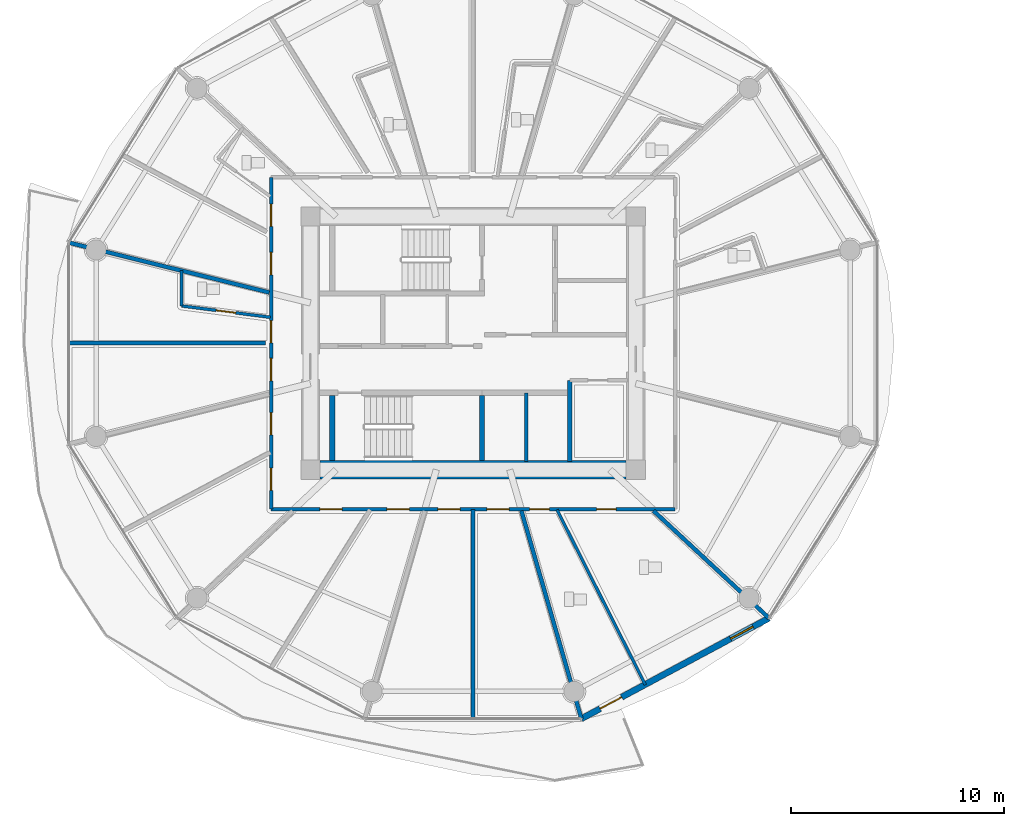
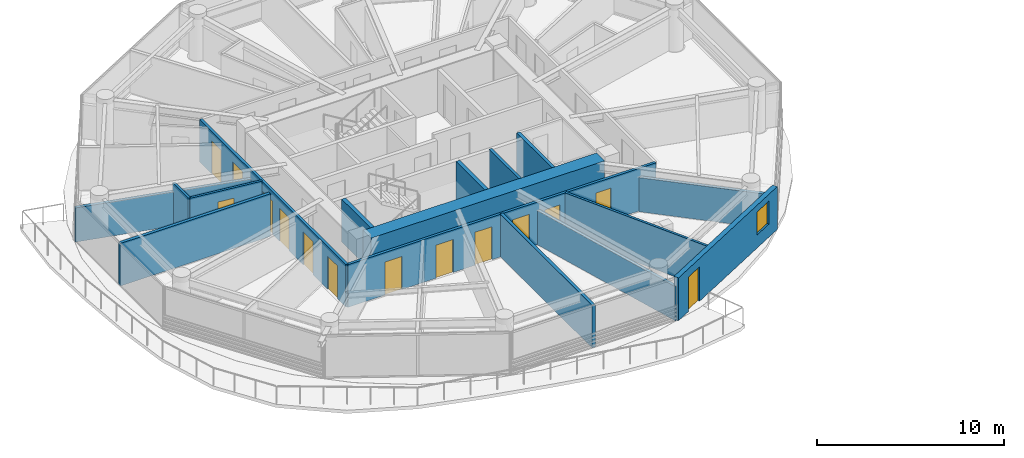
# One storey, part 15 of 31: 16 walls, 14 doors, 1 window, 15 openings.
"""IFC4 building model written with IfcOpenShell, lengths in metres."""

from ifc_helpers import new_model, si_unit, direction, frame, frame_2d, origin, place, context, subcontext, project, spatial, rectangle, extrude, source, transform, mapped, material, layer, layer_set, type_object, type_shapes, element, fill, save


model = new_model("IFC4")

# Units and contexts
model_context = context("Model", 3, precision=1e-05, world=origin(), true_north=direction((0.0, 1.0)))
body_context = subcontext(model_context, "Body", "Model", "MODEL_VIEW")
ifc_project = project(units=[si_unit("LENGTHUNIT", "METRE"), si_unit("AREAUNIT", "SQUARE_METRE"), si_unit("VOLUMEUNIT", "CUBIC_METRE"), si_unit("PLANEANGLEUNIT", "RADIAN"), si_unit("MASSUNIT", "GRAM", prefix="KILO")], contexts=[model_context])

# Site, building, storey
site_placement = place(None, origin())
site = spatial("IfcSite", under=ifc_project, at=site_placement, CompositionType="ELEMENT")
building_placement = place(site_placement, origin())
building = spatial("IfcBuilding", under=site, at=building_placement, Name="Norrkilde Senior Care Towers", CompositionType="ELEMENT")
storey_placement = place(building_placement, frame((0.0, 0.0, 42.949951171875)))
storey = spatial("IfcBuildingStorey", under=building, at=storey_placement, Name="L12", CompositionType="ELEMENT", Elevation=42.949951171875)

# Wall
ifc_material_1 = material(Name="Concrete C60/75", Category="concrete")
ifc_layer_1 = layer(ifc_material_1, 0.85009765625)
ifc_layer_set_1 = layer_set([ifc_layer_1], Name="Concrete C60/75")
wall_type_1 = type_object("IfcWallType", Name="Core Shear Wall Z1 850", PredefinedType="SHEAR", material=ifc_layer_set_1)
shared_shape_1 = source(origin(), body_context, "Body", "SweptSolid", [
    extrude(rectangle(XDim=14.39990234375, YDim=0.85009765625, at=frame_2d((7.199951171875, 0.0))), origin(), (0.0, 0.0, 1.0), 2.7900390625),
])
type_shapes(wall_type_1, [shared_shape_1])
wall_1_placement = place(storey_placement, frame((-20.800048828125, -5.949951171875, 0.0), z_axis=(0.0, 0.0, 1.0), x_axis=(-1.0, 0.0, 0.0)))
element("IfcWall", 1, at=wall_1_placement, inside=storey, type_object=wall_type_1, Name="L12 Core W South Shear Wall", PredefinedType="SHEAR", context=body_context, shape_type="MappedRepresentation", body=[
    mapped(shared_shape_1, transform((0.0, 0.0, 0.0), x_axis=(1.0, 0.0, 0.0), y_axis=(0.0, 1.0, 0.0), z_axis=(0.0, 0.0, 1.0), scale=1.0)),
])

# Wall, openings, door, window
ifc_material_2 = material(Name="Precast concrete C45/55", Category="concrete")
ifc_layer_2 = layer(ifc_material_2, 0.2900390625)
ifc_layer_set_2 = layer_set([ifc_layer_2], Name="Precast concrete C45/55")
wall_type_2 = type_object("IfcWallType", Name="Winter Garden Facade Wall 290", PredefinedType="SOLIDWALL", material=ifc_layer_set_2)
shared_shape_2 = source(origin(), body_context, "Body", "SweptSolid", [
    extrude(rectangle(XDim=10.0107421875, YDim=0.2900390625, at=frame_2d((5.00537109375, 0.0))), origin(), (0.0, 0.0, 1.0), 2.7900390625),
])
type_shapes(wall_type_2, [shared_shape_2])
wall_2_placement = place(storey_placement, frame((-14.084228515625, -12.926025390625, 0.0), z_axis=(0.0, 0.0, 1.0), x_axis=(-0.881272505317, -0.472608475773, 0.0)))
wall_2 = element("IfcWall", 2, at=wall_2_placement, inside=storey, type_object=wall_type_2, Name="L12 Drum W Balcony Access Wall 09", PredefinedType="SOLIDWALL", context=body_context, shape_type="MappedRepresentation", body=[
    mapped(shared_shape_2, transform((0.0, 0.0, 0.0), x_axis=(1.0, 0.0, 0.0), y_axis=(0.0, 1.0, 0.0), z_axis=(0.0, 0.0, 1.0), scale=1.0)),
])
opening_1_placement = place(wall_2_placement, frame((7.860107421875, 0.0, 0.0)))
opening_1 = element("IfcOpeningElement", 3, at=opening_1_placement, cuts=wall_2, Name="Opening D-09", PredefinedType="OPENING", context=body_context, shape_type="SweptSolid", body=[
    extrude(rectangle(XDim=1.14990234375, YDim=2.25, at=frame_2d((0.574951171875, 1.125))), frame((0.0, 0.155029296875, 0.0), z_axis=(0.0, -1.0, 0.0), x_axis=(1.0, 0.0, 0.0)), (0.0, 0.0, 1.0), 0.31005859375),
])
opening_2_placement = place(wall_2_placement, frame((0.85009765625, 0.0, 0.85009765625)))
opening_2 = element("IfcOpeningElement", 4, at=opening_2_placement, cuts=wall_2, Name="Opening WN-07", PredefinedType="OPENING", context=body_context, shape_type="SweptSolid", body=[
    extrude(rectangle(XDim=1.199951171875, YDim=1.5, at=frame_2d((0.60009765625, 0.75))), frame((0.0, 0.155029296875, 0.0), z_axis=(0.0, -1.0, 0.0), x_axis=(1.0, 0.0, 0.0)), (0.0, 0.0, 1.0), 0.31005859375),
])
ifc_material_3 = material(Name="Anodised Aluminium", Category="aluminium")
door_type_1 = type_object("IfcDoorType", Name="Terrace and Balcony Glazed Door 1150x2250", OperationType="NOTDEFINED", PredefinedType="DOOR", material=ifc_material_3)
shared_shape_3 = source(origin(), body_context, "Body", "SweptSolid", [
    extrude(rectangle(XDim=1.14990234375, YDim=2.25, at=frame_2d((0.574951171875, 1.125))), frame((0.0, 0.02490234375, 0.0), z_axis=(0.0, -1.0, 0.0), x_axis=(1.0, 0.0, 0.0)), (0.0, 0.0, 1.0), 0.050048828125),
])
type_shapes(door_type_1, [shared_shape_3])
door_1_placement = place(opening_1_placement, origin())
door_1 = element("IfcDoor", 5, at=door_1_placement, inside=storey, type_object=door_type_1, Name="L12 Drum W Outdoor Terrace Door 09", OperationType="SINGLE_SWING_RIGHT", OverallHeight=2.25, OverallWidth=1.14990234375, PredefinedType="DOOR", context=body_context, shape_type="MappedRepresentation", body=[
    mapped(shared_shape_3, transform((0.0, 0.0, 0.0), x_axis=(1.0, 0.0, 0.0), y_axis=(0.0, 1.0, 0.0), z_axis=(0.0, 0.0, 1.0), scale=1.0)),
])
fill(opening_1, door_1)
ifc_material_4 = material(Name="Triple Low-E Insulated Glazing", Category="glass")
window_type = type_object("IfcWindowType", Name="Stairwell Smoke Vent Window 1200x1500", PartitioningType="SINGLE_PANEL", PredefinedType="WINDOW", material=ifc_material_4)
shared_shape_4 = source(origin(), body_context, "Body", "SweptSolid", [
    extrude(rectangle(XDim=1.199951171875, YDim=1.5, at=frame_2d((0.60009765625, 0.75))), frame((0.0, 0.030029296875, 0.0), z_axis=(0.0, -1.0, 0.0), x_axis=(1.0, 0.0, 0.0)), (0.0, 0.0, 1.0), 0.06005859375),
])
type_shapes(window_type, [shared_shape_4])
window_placement = place(opening_2_placement, origin())
window = element("IfcWindow", 6, at=window_placement, inside=storey, type_object=window_type, Name="L12 Drum W Winter Garden Window 09", OverallHeight=1.5, OverallWidth=1.199951171875, PartitioningType="SINGLE_PANEL", PredefinedType="WINDOW", context=body_context, shape_type="MappedRepresentation", body=[
    mapped(shared_shape_4, transform((0.0, 0.0, 0.0), x_axis=(1.0, 0.0, 0.0), y_axis=(0.0, 1.0, 0.0), z_axis=(0.0, 0.0, 1.0), scale=1.0)),
])
fill(opening_2, window)

# Walls
ifc_material_5 = material(Name="Concrete C45/55", Category="concrete")
ifc_layer_3 = layer(ifc_material_5, 0.239990234375)
ifc_layer_set_3 = layer_set([ifc_layer_3], Name="Concrete C45/55")
wall_type_3 = type_object("IfcWallType", Name="Shaft and Stair Enclosure Wall 240", PredefinedType="PARTITIONING", material=ifc_layer_set_3)
shared_shape_5 = source(origin(), body_context, "Body", "SweptSolid", [
    extrude(rectangle(XDim=3.074951171875, YDim=0.239990234375, at=frame_2d((1.53759765625, 0.0))), origin(), (0.0, 0.0, 1.0), 2.7900390625),
])
type_shapes(wall_type_3, [shared_shape_5])
for number, where, z_axis, x_axis, name in (
    (7, (-34.6201171875, -5.52490234375, 0.0), (0.0, 0.0, 1.0), (0.0, 1.0, 0.0), "WL-INT-L12-W-ST2W"),
    (8, (-27.580078125, -5.52490234375, 0.0), (0.0, 0.0, 1.0), (0.0, 1.0, 0.0), "WL-INT-L12-W-ST2E"),
):
    element("IfcWall", number, at=place(storey_placement, frame(where, z_axis=z_axis, x_axis=x_axis)), inside=storey, type_object=wall_type_3, Name=name, PredefinedType="PARTITIONING", context=body_context, shape_type="MappedRepresentation", body=[
        mapped(shared_shape_5, transform((0.0, 0.0, 0.0), x_axis=(1.0, 0.0, 0.0), y_axis=(0.0, 1.0, 0.0), z_axis=(0.0, 0.0, 1.0), scale=1.0)),
    ])
ifc_layer_4 = layer(ifc_material_5, 0.199951171875)
ifc_layer_set_4 = layer_set([ifc_layer_4], Name="Concrete C45/55")
wall_type_4 = type_object("IfcWallType", Name="Shaft Division and Plant Partition 200", PredefinedType="PARTITIONING", material=ifc_layer_set_4)
shared_shape_6 = source(origin(), body_context, "Body", "SweptSolid", [
    extrude(rectangle(XDim=3.800048828125, YDim=0.199951171875, at=frame_2d((1.89990234375, 0.0))), origin(), (0.0, 0.0, 1.0), 2.775146484375),
])
type_shapes(wall_type_4, [shared_shape_6])
wall_3_placement = place(storey_placement, frame((-23.449951171875, -5.550048828125, 0.0), z_axis=(0.0, 0.0, 1.0), x_axis=(0.0, 1.0, 0.0)))
element("IfcWall", 9, at=wall_3_placement, inside=storey, type_object=wall_type_4, Name="WL-INT-L12-W-PKBE", PredefinedType="PARTITIONING", context=body_context, shape_type="MappedRepresentation", body=[
    mapped(shared_shape_6, transform((0.0, 0.0, 0.0), x_axis=(1.0, 0.0, 0.0), y_axis=(0.0, 1.0, 0.0), z_axis=(0.0, 0.0, 1.0), scale=1.0)),
])
ifc_layer_5 = layer(ifc_material_5, 0.179931640625)
ifc_layer_set_5 = layer_set([ifc_layer_5], Name="Concrete C45/55")
wall_type_5 = type_object("IfcWallType", Name="Hoistway Division Rated Partition 180", PredefinedType="PARTITIONING", material=ifc_layer_set_5)
shared_shape_7 = source(origin(), body_context, "Body", "SweptSolid", [
    extrude(rectangle(XDim=3.219970703125, YDim=0.179931640625, at=frame_2d((1.60986328125, 0.0))), origin(), (0.0, 0.0, 1.0), 2.775146484375),
])
type_shapes(wall_type_5, [shared_shape_7])
wall_4_placement = place(storey_placement, frame((-25.5, -5.550048828125, 0.0), z_axis=(0.0, 0.0, 1.0), x_axis=(0.0, 1.0, 0.0)))
element("IfcWall", 10, at=wall_4_placement, inside=storey, type_object=wall_type_5, Name="WL-INT-L12-W-PL34", PredefinedType="PARTITIONING", context=body_context, shape_type="MappedRepresentation", body=[
    mapped(shared_shape_7, transform((0.0, 0.0, 0.0), x_axis=(1.0, 0.0, 0.0), y_axis=(0.0, 1.0, 0.0), z_axis=(0.0, 0.0, 1.0), scale=1.0)),
])

# Wall, openings, doors
ifc_material_6 = material(Name="Gypsum Acoustic Board")
ifc_layer_6 = layer(ifc_material_6, 0.1650390625)
ifc_layer_set_6 = layer_set([ifc_layer_6], Name="Gypsum Acoustic Board")
wall_type_6 = type_object("IfcWallType", Name="Corridor Rated Partition 165", PredefinedType="PARTITIONING", material=ifc_layer_set_6)
shared_shape_8 = source(origin(), body_context, "Body", "SweptSolid", [
    extrude(rectangle(XDim=19.0, YDim=0.1650390625, at=frame_2d((9.5, 0.0))), origin(), (0.0, 0.0, 1.0), 2.775146484375),
])
wall_5_placement = place(storey_placement, frame((-18.5, -7.800048828125, 0.0), z_axis=(0.0, 0.0, 1.0), x_axis=(-1.0, 0.0, 0.0)))
wall_5 = element("IfcWall", 11, at=wall_5_placement, inside=storey, type_object=wall_type_6, Name="WL-INT-L12-W-CRW-S-0", PredefinedType="PARTITIONING", context=body_context, shape_type="MappedRepresentation", body=[
    mapped(shared_shape_8, transform((0.0, 0.0, 0.0), x_axis=(1.0, 0.0, 0.0), y_axis=(0.0, 1.0, 0.0), z_axis=(0.0, 0.0, 1.0), scale=1.0)),
])
opening_3_placement = place(wall_5_placement, frame((15.65185546875, 0.0, 0.0)))
opening_3 = element("IfcOpeningElement", 12, at=opening_3_placement, cuts=wall_5, Name="Opening D-06", PredefinedType="OPENING", context=body_context, shape_type="SweptSolid", body=[
    extrude(rectangle(XDim=1.050048828125, YDim=2.14990234375, at=frame_2d((0.52490234375, 1.074951171875))), frame((0.0, 0.092529296875, 0.0), z_axis=(0.0, -1.0, 0.0), x_axis=(1.0, 0.0, 0.0)), (0.0, 0.0, 1.0), 0.18505859375),
])
opening_4_placement = place(wall_5_placement, frame((12.5, 0.0, 0.0)))
opening_4 = element("IfcOpeningElement", 13, at=opening_4_placement, cuts=wall_5, Name="Opening D-06", PredefinedType="OPENING", context=body_context, shape_type="SweptSolid", body=[
    extrude(rectangle(XDim=1.050048828125, YDim=2.14990234375, at=frame_2d((0.52490234375, 1.074951171875))), frame((0.0, 0.092529296875, 0.0), z_axis=(0.0, -1.0, 0.0), x_axis=(1.0, 0.0, 0.0)), (0.0, 0.0, 1.0), 0.18505859375),
])
opening_5_placement = place(wall_5_placement, frame((10.103759765625, 0.0, 0.0)))
opening_5 = element("IfcOpeningElement", 14, at=opening_5_placement, cuts=wall_5, Name="Opening D-06", PredefinedType="OPENING", context=body_context, shape_type="SweptSolid", body=[
    extrude(rectangle(XDim=1.050048828125, YDim=2.14990234375, at=frame_2d((0.52490234375, 1.074951171875))), frame((0.0, 0.092529296875, 0.0), z_axis=(0.0, -1.0, 0.0), x_axis=(1.0, 0.0, 0.0)), (0.0, 0.0, 1.0), 0.18505859375),
])
opening_6_placement = place(wall_5_placement, frame((7.806396484375, 0.0, 0.0)))
opening_6 = element("IfcOpeningElement", 15, at=opening_6_placement, cuts=wall_5, Name="Opening D-06", PredefinedType="OPENING", context=body_context, shape_type="SweptSolid", body=[
    extrude(rectangle(XDim=1.050048828125, YDim=2.14990234375, at=frame_2d((0.52490234375, 1.074951171875))), frame((0.0, 0.092529296875, 0.0), z_axis=(0.0, -1.0, 0.0), x_axis=(1.0, 0.0, 0.0)), (0.0, 0.0, 1.0), 0.18505859375),
])
opening_7_placement = place(wall_5_placement, frame((5.915283203125, 0.0, 0.0)))
opening_7 = element("IfcOpeningElement", 16, at=opening_7_placement, cuts=wall_5, Name="Opening D-08", PredefinedType="OPENING", context=body_context, shape_type="SweptSolid", body=[
    extrude(rectangle(XDim=0.919921875, YDim=2.10009765625, at=frame_2d((0.4599609375, 1.050048828125))), frame((0.0, 0.092529296875, 0.0), z_axis=(0.0, -1.0, 0.0), x_axis=(1.0, 0.0, 0.0)), (0.0, 0.0, 1.0), 0.18505859375),
])
opening_8_placement = place(wall_5_placement, frame((2.76904296875, 0.0, 0.0)))
opening_8 = element("IfcOpeningElement", 17, at=opening_8_placement, cuts=wall_5, Name="Opening D-08", PredefinedType="OPENING", context=body_context, shape_type="SweptSolid", body=[
    extrude(rectangle(XDim=0.919921875, YDim=2.10009765625, at=frame_2d((0.4599609375, 1.050048828125))), frame((0.0, 0.092529296875, 0.0), z_axis=(0.0, -1.0, 0.0), x_axis=(1.0, 0.0, 0.0)), (0.0, 0.0, 1.0), 0.18505859375),
])
ifc_material_7 = material(Name="Nordic Ash Timber", Category="wood")
door_type_2 = type_object("IfcDoorType", Name="Accessible Wet Room Door 920x2100", OperationType="NOTDEFINED", PredefinedType="DOOR", material=ifc_material_7)
shared_shape_9 = source(origin(), body_context, "Body", "SweptSolid", [
    extrude(rectangle(XDim=0.919921875, YDim=2.10009765625, at=frame_2d((0.4599609375, 1.050048828125))), frame((0.0, 0.02490234375, 0.0), z_axis=(0.0, -1.0, 0.0), x_axis=(1.0, 0.0, 0.0)), (0.0, 0.0, 1.0), 0.050048828125),
])
type_shapes(door_type_2, [shared_shape_9])
door_2_placement = place(opening_7_placement, frame((0.919921875, 0.0, 0.0), z_axis=(0.0, 0.0, 1.0), x_axis=(-1.0, 0.0, 0.0)))
door_2 = element("IfcDoor", 18, at=door_2_placement, inside=storey, type_object=door_type_2, Name="L12 Accessible Restroom Door", OperationType="SINGLE_SWING_RIGHT", OverallHeight=2.10009765625, OverallWidth=0.919921875, PredefinedType="DOOR", context=body_context, shape_type="MappedRepresentation", body=[
    mapped(shared_shape_9, transform((0.0, 0.0, 0.0), x_axis=(1.0, 0.0, 0.0), y_axis=(0.0, 1.0, 0.0), z_axis=(0.0, 0.0, 1.0), scale=1.0)),
])
fill(opening_7, door_2)
door_3_placement = place(opening_8_placement, frame((0.919921875, 0.0, 0.0), z_axis=(0.0, 0.0, 1.0), x_axis=(-1.0, 0.0, 0.0)))
door_3 = element("IfcDoor", 19, at=door_3_placement, inside=storey, type_object=door_type_2, Name="L12 Public Restroom Door", OperationType="SINGLE_SWING_LEFT", OverallHeight=2.10009765625, OverallWidth=0.919921875, PredefinedType="DOOR", context=body_context, shape_type="MappedRepresentation", body=[
    mapped(shared_shape_9, transform((0.0, 0.0, 0.0), x_axis=(1.0, 0.0, 0.0), y_axis=(0.0, 1.0, 0.0), z_axis=(0.0, 0.0, 1.0), scale=1.0)),
])
fill(opening_8, door_3)
door_type_3 = type_object("IfcDoorType", Name="Apartment Entrance Fire Door 1050x2150", OperationType="NOTDEFINED", PredefinedType="DOOR", material=ifc_material_7)
shared_shape_10 = source(origin(), body_context, "Body", "SweptSolid", [
    extrude(rectangle(XDim=1.050048828125, YDim=2.14990234375, at=frame_2d((0.52490234375, 1.074951171875))), frame((0.0, 0.02490234375, 0.0), z_axis=(0.0, -1.0, 0.0), x_axis=(1.0, 0.0, 0.0)), (0.0, 0.0, 1.0), 0.050048828125),
])
type_shapes(door_type_3, [shared_shape_10])
door_4_placement = place(opening_3_placement, frame((1.050048828125, 0.0, 0.0), z_axis=(0.0, 0.0, 1.0), x_axis=(-1.0, 0.0, 0.0)))
door_4 = element("IfcDoor", 20, at=door_4_placement, inside=storey, type_object=door_type_3, Name="L12 Physiotherapy Clinic 7A Door", OperationType="SINGLE_SWING_RIGHT", OverallHeight=2.14990234375, OverallWidth=1.050048828125, PredefinedType="DOOR", context=body_context, shape_type="MappedRepresentation", body=[
    mapped(shared_shape_10, transform((0.0, 0.0, 0.0), x_axis=(1.0, 0.0, 0.0), y_axis=(0.0, 1.0, 0.0), z_axis=(0.0, 0.0, 1.0), scale=1.0)),
])
fill(opening_3, door_4)
door_5_placement = place(opening_4_placement, frame((1.050048828125, 0.0, 0.0), z_axis=(0.0, 0.0, 1.0), x_axis=(-1.0, 0.0, 0.0)))
door_5 = element("IfcDoor", 21, at=door_5_placement, inside=storey, type_object=door_type_3, Name="L12 Assessment Clinic 7B Door", OperationType="SINGLE_SWING_LEFT", OverallHeight=2.14990234375, OverallWidth=1.050048828125, PredefinedType="DOOR", context=body_context, shape_type="MappedRepresentation", body=[
    mapped(shared_shape_10, transform((0.0, 0.0, 0.0), x_axis=(1.0, 0.0, 0.0), y_axis=(0.0, 1.0, 0.0), z_axis=(0.0, 0.0, 1.0), scale=1.0)),
])
fill(opening_4, door_5)
door_6_placement = place(opening_5_placement, frame((1.050048828125, 0.0, 0.0), z_axis=(0.0, 0.0, 1.0), x_axis=(-1.0, 0.0, 0.0)))
door_6 = element("IfcDoor", 22, at=door_6_placement, inside=storey, type_object=door_type_3, Name="L12 Physiotherapy Clinic 8A Door", OperationType="SINGLE_SWING_LEFT", OverallHeight=2.14990234375, OverallWidth=1.050048828125, PredefinedType="DOOR", context=body_context, shape_type="MappedRepresentation", body=[
    mapped(shared_shape_10, transform((0.0, 0.0, 0.0), x_axis=(1.0, 0.0, 0.0), y_axis=(0.0, 1.0, 0.0), z_axis=(0.0, 0.0, 1.0), scale=1.0)),
])
fill(opening_5, door_6)
door_7_placement = place(opening_6_placement, frame((1.050048828125, 0.0, 0.0), z_axis=(0.0, 0.0, 1.0), x_axis=(-1.0, 0.0, 0.0)))
door_7 = element("IfcDoor", 23, at=door_7_placement, inside=storey, type_object=door_type_3, Name="L12 Assessment Clinic 8B Door", OperationType="SINGLE_SWING_RIGHT", OverallHeight=2.14990234375, OverallWidth=1.050048828125, PredefinedType="DOOR", context=body_context, shape_type="MappedRepresentation", body=[
    mapped(shared_shape_10, transform((0.0, 0.0, 0.0), x_axis=(1.0, 0.0, 0.0), y_axis=(0.0, 1.0, 0.0), z_axis=(0.0, 0.0, 1.0), scale=1.0)),
])
fill(opening_6, door_7)

shared_shape_11 = source(origin(), body_context, "Body", "SweptSolid", [
    extrude(rectangle(XDim=15.60009765625, YDim=0.1650390625, at=frame_2d((7.800048828125, 0.0))), origin(), (0.0, 0.0, 1.0), 2.775146484375),
])
type_shapes(wall_type_6, [shared_shape_8, shared_shape_11])
wall_6_placement = place(storey_placement, frame((-37.5, -7.800048828125, 0.0), z_axis=(0.0, 0.0, 1.0), x_axis=(0.0, 1.0, 0.0)))
wall_6 = element("IfcWall", 24, at=wall_6_placement, inside=storey, type_object=wall_type_6, Name="WL-INT-L12-W-CRW-W-0", PredefinedType="PARTITIONING", context=body_context, shape_type="MappedRepresentation", body=[
    mapped(shared_shape_11, transform((0.0, 0.0, 0.0), x_axis=(1.0, 0.0, 0.0), y_axis=(0.0, 1.0, 0.0), z_axis=(0.0, 0.0, 1.0), scale=1.0)),
])
opening_9_placement = place(wall_6_placement, frame((13.293212890625, 0.0, 0.0)))
opening_9 = element("IfcOpeningElement", 25, at=opening_9_placement, cuts=wall_6, Name="Opening D-06", PredefinedType="OPENING", context=body_context, shape_type="SweptSolid", body=[
    extrude(rectangle(XDim=1.050048828125, YDim=2.14990234375, at=frame_2d((0.52490234375, 1.074951171875))), frame((0.0, 0.092529296875, 0.0), z_axis=(0.0, -1.0, 0.0), x_axis=(1.0, 0.0, 0.0)), (0.0, 0.0, 1.0), 0.18505859375),
])
opening_10_placement = place(wall_6_placement, frame((11.017822265625, 0.0, 0.0)))
opening_10 = element("IfcOpeningElement", 26, at=opening_10_placement, cuts=wall_6, Name="Opening D-06", PredefinedType="OPENING", context=body_context, shape_type="SweptSolid", body=[
    extrude(rectangle(XDim=1.050048828125, YDim=2.14990234375, at=frame_2d((0.52490234375, 1.074951171875))), frame((0.0, 0.092529296875, 0.0), z_axis=(0.0, -1.0, 0.0), x_axis=(1.0, 0.0, 0.0)), (0.0, 0.0, 1.0), 0.18505859375),
])
opening_11_placement = place(wall_6_placement, frame((7.811767578125, 0.0, 0.0)))
opening_11 = element("IfcOpeningElement", 27, at=opening_11_placement, cuts=wall_6, Name="Opening D-06", PredefinedType="OPENING", context=body_context, shape_type="SweptSolid", body=[
    extrude(rectangle(XDim=1.050048828125, YDim=2.14990234375, at=frame_2d((0.52490234375, 1.074951171875))), frame((0.0, 0.092529296875, 0.0), z_axis=(0.0, -1.0, 0.0), x_axis=(1.0, 0.0, 0.0)), (0.0, 0.0, 1.0), 0.18505859375),
])
opening_12_placement = place(wall_6_placement, frame((6.03466796875, 0.0, 0.0)))
opening_12 = element("IfcOpeningElement", 28, at=opening_12_placement, cuts=wall_6, Name="Opening D-06", PredefinedType="OPENING", context=body_context, shape_type="SweptSolid", body=[
    extrude(rectangle(XDim=1.050048828125, YDim=2.14990234375, at=frame_2d((0.52490234375, 1.074951171875))), frame((0.0, 0.092529296875, 0.0), z_axis=(0.0, -1.0, 0.0), x_axis=(1.0, 0.0, 0.0)), (0.0, 0.0, 1.0), 0.18505859375),
])
opening_13_placement = place(wall_6_placement, frame((3.489013671875, 0.0, 0.0)))
opening_13 = element("IfcOpeningElement", 29, at=opening_13_placement, cuts=wall_6, Name="Opening D-06", PredefinedType="OPENING", context=body_context, shape_type="SweptSolid", body=[
    extrude(rectangle(XDim=1.050048828125, YDim=2.14990234375, at=frame_2d((0.52490234375, 1.074951171875))), frame((0.0, 0.092529296875, 0.0), z_axis=(0.0, -1.0, 0.0), x_axis=(1.0, 0.0, 0.0)), (0.0, 0.0, 1.0), 0.18505859375),
])
opening_14_placement = place(wall_6_placement, frame((0.881591796875, 0.0, 0.0)))
opening_14 = element("IfcOpeningElement", 30, at=opening_14_placement, cuts=wall_6, Name="Opening D-06", PredefinedType="OPENING", context=body_context, shape_type="SweptSolid", body=[
    extrude(rectangle(XDim=1.050048828125, YDim=2.14990234375, at=frame_2d((0.52490234375, 1.074951171875))), frame((0.0, 0.092529296875, 0.0), z_axis=(0.0, -1.0, 0.0), x_axis=(1.0, 0.0, 0.0)), (0.0, 0.0, 1.0), 0.18505859375),
])
door_8_placement = place(opening_9_placement, frame((1.050048828125, 0.0, 0.0), z_axis=(0.0, 0.0, 1.0), x_axis=(-1.0, 0.0, 0.0)))
door_8 = element("IfcDoor", 31, at=door_8_placement, inside=storey, type_object=door_type_3, Name="L12 Care Suite 1204A Entrance Door", OperationType="SINGLE_SWING_RIGHT", OverallHeight=2.14990234375, OverallWidth=1.050048828125, PredefinedType="DOOR", context=body_context, shape_type="MappedRepresentation", body=[
    mapped(shared_shape_10, transform((0.0, 0.0, 0.0), x_axis=(1.0, 0.0, 0.0), y_axis=(0.0, 1.0, 0.0), z_axis=(0.0, 0.0, 1.0), scale=1.0)),
])
fill(opening_9, door_8)
door_9_placement = place(opening_10_placement, frame((1.050048828125, 0.0, 0.0), z_axis=(0.0, 0.0, 1.0), x_axis=(-1.0, 0.0, 0.0)))
door_9 = element("IfcDoor", 32, at=door_9_placement, inside=storey, type_object=door_type_3, Name="L12 Therapy Day Lounge 04 Door", OperationType="SINGLE_SWING_RIGHT", OverallHeight=2.14990234375, OverallWidth=1.050048828125, PredefinedType="DOOR", context=body_context, shape_type="MappedRepresentation", body=[
    mapped(shared_shape_10, transform((0.0, 0.0, 0.0), x_axis=(1.0, 0.0, 0.0), y_axis=(0.0, 1.0, 0.0), z_axis=(0.0, 0.0, 1.0), scale=1.0)),
])
fill(opening_10, door_9)
door_10_placement = place(opening_11_placement, frame((1.050048828125, 0.0, 0.0), z_axis=(0.0, 0.0, 1.0), x_axis=(-1.0, 0.0, 0.0)))
door_10 = element("IfcDoor", 33, at=door_10_placement, inside=storey, type_object=door_type_3, Name="L12 Care Suite 1205A Entrance Door", OperationType="SINGLE_SWING_LEFT", OverallHeight=2.14990234375, OverallWidth=1.050048828125, PredefinedType="DOOR", context=body_context, shape_type="MappedRepresentation", body=[
    mapped(shared_shape_10, transform((0.0, 0.0, 0.0), x_axis=(1.0, 0.0, 0.0), y_axis=(0.0, 1.0, 0.0), z_axis=(0.0, 0.0, 1.0), scale=1.0)),
])
fill(opening_11, door_10)
door_11_placement = place(opening_12_placement, frame((1.050048828125, 0.0, 0.0), z_axis=(0.0, 0.0, 1.0), x_axis=(-1.0, 0.0, 0.0)))
door_11 = element("IfcDoor", 34, at=door_11_placement, inside=storey, type_object=door_type_3, Name="L12 Therapy Day Lounge 05 Door", OperationType="SINGLE_SWING_LEFT", OverallHeight=2.14990234375, OverallWidth=1.050048828125, PredefinedType="DOOR", context=body_context, shape_type="MappedRepresentation", body=[
    mapped(shared_shape_10, transform((0.0, 0.0, 0.0), x_axis=(1.0, 0.0, 0.0), y_axis=(0.0, 1.0, 0.0), z_axis=(0.0, 0.0, 1.0), scale=1.0)),
])
fill(opening_12, door_11)
door_12_placement = place(opening_13_placement, frame((1.050048828125, 0.0, 0.0), z_axis=(0.0, 0.0, 1.0), x_axis=(-1.0, 0.0, 0.0)))
door_12 = element("IfcDoor", 35, at=door_12_placement, inside=storey, type_object=door_type_3, Name="L12 Physiotherapy Clinic 6A Door", OperationType="SINGLE_SWING_LEFT", OverallHeight=2.14990234375, OverallWidth=1.050048828125, PredefinedType="DOOR", context=body_context, shape_type="MappedRepresentation", body=[
    mapped(shared_shape_10, transform((0.0, 0.0, 0.0), x_axis=(1.0, 0.0, 0.0), y_axis=(0.0, 1.0, 0.0), z_axis=(0.0, 0.0, 1.0), scale=1.0)),
])
fill(opening_13, door_12)
door_13_placement = place(opening_14_placement, frame((1.050048828125, 0.0, 0.0), z_axis=(0.0, 0.0, 1.0), x_axis=(-1.0, 0.0, 0.0)))
door_13 = element("IfcDoor", 36, at=door_13_placement, inside=storey, type_object=door_type_3, Name="L12 Assessment Clinic 6B Door", OperationType="SINGLE_SWING_RIGHT", OverallHeight=2.14990234375, OverallWidth=1.050048828125, PredefinedType="DOOR", context=body_context, shape_type="MappedRepresentation", body=[
    mapped(shared_shape_10, transform((0.0, 0.0, 0.0), x_axis=(1.0, 0.0, 0.0), y_axis=(0.0, 1.0, 0.0), z_axis=(0.0, 0.0, 1.0), scale=1.0)),
])
fill(opening_14, door_13)

# Walls
ifc_layer_7 = layer(ifc_material_6, 0.18994140625)
ifc_layer_set_7 = layer_set([ifc_layer_7], Name="Gypsum Acoustic Board")
wall_type_7 = type_object("IfcWallType", Name="Unit Demising Acoustic Wall 190", PredefinedType="PARTITIONING", material=ifc_layer_set_7)
shared_shape_12 = source(origin(), body_context, "Body", "SweptSolid", [
    extrude(rectangle(XDim=7.4345703125, YDim=0.18994140625, at=frame_2d((3.71728515625, 0.0))), origin(), (0.0, 0.0, 1.0), 2.22509765625),
])
wall_7_placement = place(storey_placement, frame((-19.51708984375, -7.8798828125, 0.0), z_axis=(0.0, 0.0, 1.0), x_axis=(0.732651956848, -0.680603489652, 0.0)))
element("IfcWall", 37, at=wall_7_placement, inside=storey, type_object=wall_type_7, Name="WL-INT-L12-W-DEM-10-0", PredefinedType="PARTITIONING", context=body_context, shape_type="MappedRepresentation", body=[
    mapped(shared_shape_12, transform((0.0, 0.0, 0.0), x_axis=(1.0, 0.0, 0.0), y_axis=(0.0, 1.0, 0.0), z_axis=(0.0, 0.0, 1.0), scale=1.0)),
])
shared_shape_13 = source(origin(), body_context, "Body", "SweptSolid", [
    extrude(rectangle(XDim=10.196044921875, YDim=0.18994140625, at=frame_2d((5.09814453125, 0.0))), origin(), (0.0, 0.0, 1.0), 2.22509765625),
])
wall_8_placement = place(storey_placement, frame((-25.72705078125, -7.8798828125, 0.0), z_axis=(0.0, 0.0, 1.0), x_axis=(0.277136420347, -0.960830580549, 0.0)))
element("IfcWall", 38, at=wall_8_placement, inside=storey, type_object=wall_type_7, Name="WL-INT-L12-W-DEM-09-0", PredefinedType="PARTITIONING", context=body_context, shape_type="MappedRepresentation", body=[
    mapped(shared_shape_13, transform((0.0, 0.0, 0.0), x_axis=(1.0, 0.0, 0.0), y_axis=(0.0, 1.0, 0.0), z_axis=(0.0, 0.0, 1.0), scale=1.0)),
])
shared_shape_14 = source(origin(), body_context, "Body", "SweptSolid", [
    extrude(rectangle(XDim=9.846435546875, YDim=0.18994140625, at=frame_2d((4.92333984375, 0.0))), origin(), (0.0, 0.0, 1.0), 2.775146484375),
])
wall_9_placement = place(storey_placement, frame((-28.0, -7.830078125, 0.0), z_axis=(0.0, 0.0, 1.0), x_axis=(0.0, -1.0, 0.0)))
element("IfcWall", 39, at=wall_9_placement, inside=storey, type_object=wall_type_7, Name="WL-INT-L12-W-MID-08", PredefinedType="PARTITIONING", context=body_context, shape_type="MappedRepresentation", body=[
    mapped(shared_shape_14, transform((0.0, 0.0, 0.0), x_axis=(1.0, 0.0, 0.0), y_axis=(0.0, 1.0, 0.0), z_axis=(0.0, 0.0, 1.0), scale=1.0)),
])
ifc_layer_8 = layer(ifc_material_6, 0.139892578125)
ifc_layer_set_8 = layer_set([ifc_layer_8], Name="Gypsum Acoustic Board")
wall_type_8 = type_object("IfcWallType", Name="En-suite Wet Room Wall 140", PredefinedType="PARTITIONING", material=ifc_layer_set_8)
shared_shape_15 = source(origin(), body_context, "Body", "SweptSolid", [
    extrude(rectangle(XDim=9.22509765625, YDim=0.139892578125, at=frame_2d((4.612548828125, 0.0))), origin(), (0.0, 0.0, 1.0), 2.775146484375),
])
wall_10_placement = place(storey_placement, frame((-24.05419921875, -7.830078125, 0.0), z_axis=(0.0, 0.0, 1.0), x_axis=(0.450460543767, -0.892796336523, 0.0)))
element("IfcWall", 40, at=wall_10_placement, inside=storey, type_object=wall_type_8, Name="WL-INT-L12-W-MID-09", PredefinedType="PARTITIONING", context=body_context, shape_type="MappedRepresentation", body=[
    mapped(shared_shape_15, transform((0.0, 0.0, 0.0), x_axis=(1.0, 0.0, 0.0), y_axis=(0.0, 1.0, 0.0), z_axis=(0.0, 0.0, 1.0), scale=1.0)),
])
shared_shape_16 = source(origin(), body_context, "Body", "SweptSolid", [
    extrude(rectangle(XDim=9.737060546875, YDim=0.18994140625, at=frame_2d((4.86865234375, 0.0))), origin(), (0.0, 0.0, 1.0), 2.22509765625),
])
wall_11_placement = place(storey_placement, frame((-37.580078125, 2.384521484375, 0.0), z_axis=(0.0, 0.0, 1.0), x_axis=(-0.970392716238, 0.241532557375, 0.0)))
element("IfcWall", 41, at=wall_11_placement, inside=storey, type_object=wall_type_7, Name="WL-INT-L12-W-DEM-05-0", PredefinedType="PARTITIONING", context=body_context, shape_type="MappedRepresentation", body=[
    mapped(shared_shape_16, transform((0.0, 0.0, 0.0), x_axis=(1.0, 0.0, 0.0), y_axis=(0.0, 1.0, 0.0), z_axis=(0.0, 0.0, 1.0), scale=1.0)),
])
shared_shape_17 = source(origin(), body_context, "Body", "SweptSolid", [
    extrude(rectangle(XDim=9.261474609375, YDim=0.18994140625, at=frame_2d((4.630859375, 0.0))), origin(), (0.0, 0.0, 1.0), 2.775146484375),
])
type_shapes(wall_type_7, [shared_shape_12, shared_shape_13, shared_shape_14, shared_shape_16, shared_shape_17])
wall_12_placement = place(storey_placement, frame((-37.767333984375, 0.0, 0.0), z_axis=(0.0, 0.0, 1.0), x_axis=(-1.0, 0.0, 0.0)))
element("IfcWall", 42, at=wall_12_placement, inside=storey, type_object=wall_type_7, Name="WL-INT-L12-W-CMID-05", PredefinedType="PARTITIONING", context=body_context, shape_type="MappedRepresentation", body=[
    mapped(shared_shape_17, transform((0.0, 0.0, 0.0), x_axis=(1.0, 0.0, 0.0), y_axis=(0.0, 1.0, 0.0), z_axis=(0.0, 0.0, 1.0), scale=1.0)),
])

# Wall, opening, door
shared_shape_18 = source(origin(), body_context, "Body", "SweptSolid", [
    extrude(rectangle(XDim=4.2099609375, YDim=0.139892578125, at=frame_2d((2.10498046875, 0.0))), origin(), (0.0, 0.0, 1.0), 2.775146484375),
])
wall_13_placement = place(storey_placement, frame((-37.530029296875, 1.218994140625, 0.0), z_axis=(0.0, 0.0, 1.0), x_axis=(-0.991917821325, 0.126881975625, 0.0)))
wall_13 = element("IfcWall", 43, at=wall_13_placement, inside=storey, type_object=wall_type_8, Name="WL-INT-L12-W-ES-05A", PredefinedType="PARTITIONING", context=body_context, shape_type="MappedRepresentation", body=[
    mapped(shared_shape_18, transform((0.0, 0.0, 0.0), x_axis=(1.0, 0.0, 0.0), y_axis=(0.0, 1.0, 0.0), z_axis=(0.0, 0.0, 1.0), scale=1.0)),
])
opening_15_placement = place(wall_13_placement, frame((1.64501953125, 0.0, 0.0)))
opening_15 = element("IfcOpeningElement", 44, at=opening_15_placement, cuts=wall_13, Name="Opening D-08", PredefinedType="OPENING", context=body_context, shape_type="SweptSolid", body=[
    extrude(rectangle(XDim=0.919921875, YDim=2.10009765625, at=frame_2d((0.4599609375, 1.050048828125))), frame((0.0, 0.079833984375, 0.0), z_axis=(0.0, -1.0, 0.0), x_axis=(1.0, 0.0, 0.0)), (0.0, 0.0, 1.0), 0.159912109375),
])
door_14_placement = place(opening_15_placement, origin())
door_14 = element("IfcDoor", 45, at=door_14_placement, inside=storey, type_object=door_type_2, Name="L12 Care Suite 1205A Bathroom Door", OperationType="SINGLE_SWING_RIGHT", OverallHeight=2.10009765625, OverallWidth=0.919921875, PredefinedType="DOOR", context=body_context, shape_type="MappedRepresentation", body=[
    mapped(shared_shape_9, transform((0.0, 0.0, 0.0), x_axis=(1.0, 0.0, 0.0), y_axis=(0.0, 1.0, 0.0), z_axis=(0.0, 0.0, 1.0), scale=1.0)),
])
fill(opening_15, door_14)

# Wall
shared_shape_19 = source(origin(), body_context, "Body", "SweptSolid", [
    extrude(rectangle(XDim=1.674560546875, YDim=0.139892578125, at=frame_2d((0.83740234375, 0.0))), origin(), (0.0, 0.0, 1.0), 2.775146484375),
])
type_shapes(wall_type_8, [shared_shape_15, shared_shape_18, shared_shape_19])
wall_14_placement = place(storey_placement, frame((-41.7060546875, 1.753173828125, 0.0), z_axis=(0.0, 0.0, 1.0), x_axis=(0.003644821977, 0.999993357614, 0.0)))
element("IfcWall", 46, at=wall_14_placement, inside=storey, type_object=wall_type_8, Name="WL-INT-L12-W-EF-05A", PredefinedType="PARTITIONING", context=body_context, shape_type="MappedRepresentation", body=[
    mapped(shared_shape_19, transform((0.0, 0.0, 0.0), x_axis=(1.0, 0.0, 0.0), y_axis=(0.0, 1.0, 0.0), z_axis=(0.0, 0.0, 1.0), scale=1.0)),
])

save(model, "model.ifc")
